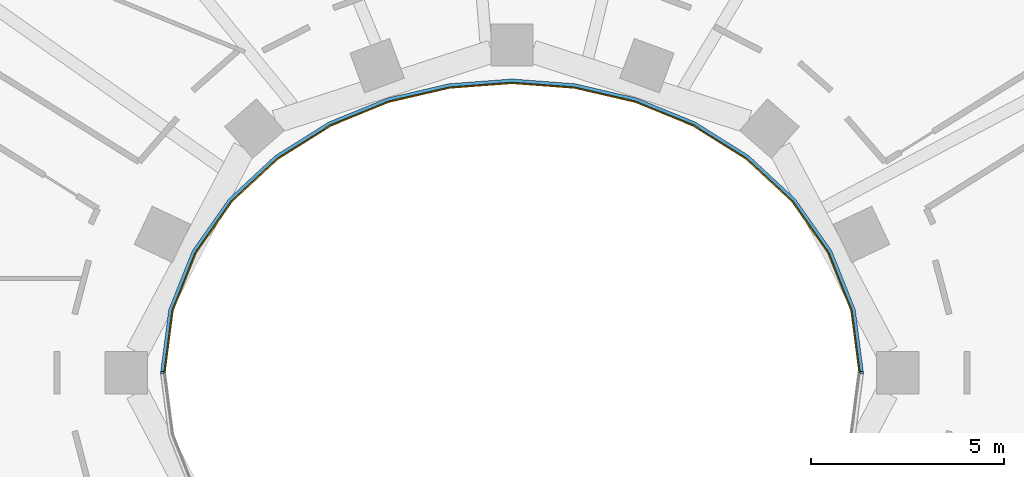
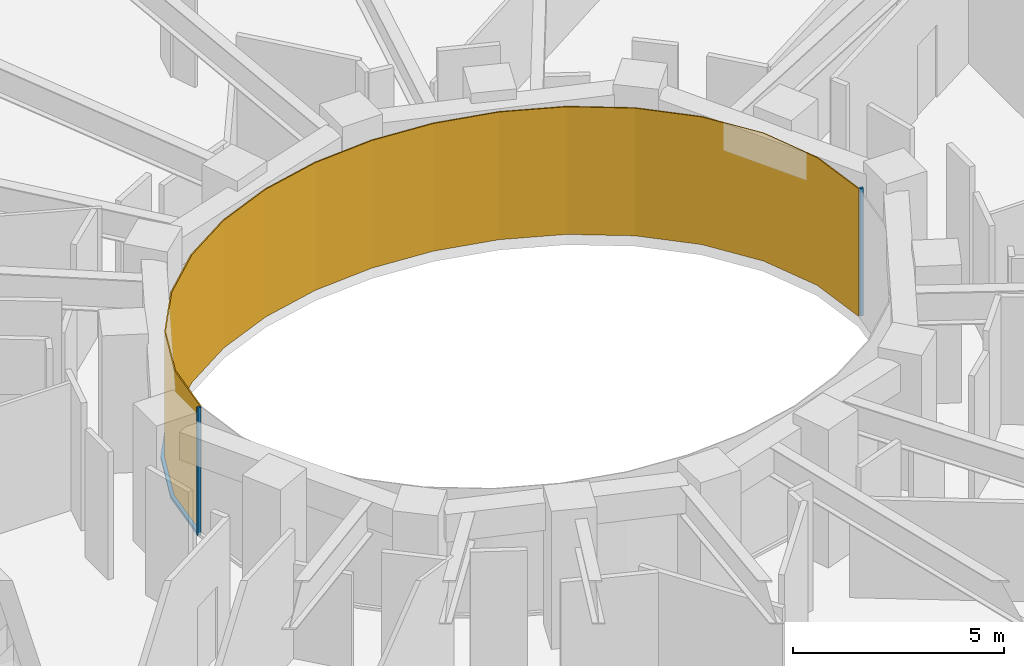
# One storey, part 12 of 16: 3 members, 1 curtain wall.
"""IFC4 building model written with IfcOpenShell, lengths in metres."""

import ifcopenshell
import ifcopenshell.guid

model = None  # the IFC model being written
_history = None  # IfcOwnerHistory: only IFC2X3 demands one
_inside = {}  # id of a spatial element -> (the spatial element, [elements in it])
_under = {}  # id of a project, library or spatial element -> (it, [spatial elements below it])
_declared = {}  # id of a project -> (the project, [libraries it declares])
_typed = {}  # id of a type object -> (the type object, [elements of that type])
_made_of = {}  # id of a material, layer set ... -> (it, [elements and type objects made of it])


def new_model(schema):
    """Start an empty IFC model of exactly this schema.

    Asked for "IFC4X3", IfcOpenShell would pick the latest addendum, in which some entities
    have other attributes; the version numbers below select the first issue.
    IFC2X3 requires an IfcOwnerHistory on every rooted entity: one is made here for all.
    """
    global model, _history
    if schema == "IFC4X3":
        model = ifcopenshell.file(schema_version=(4, 3, 0, 0))
    else:
        model = ifcopenshell.file(schema=schema)
    _inside.clear()
    _under.clear()
    _declared.clear()
    _typed.clear()
    _made_of.clear()
    _history = None
    if model.schema == "IFC2X3":
        org = make("IfcOrganization", Name="unknown")
        user = make(
            "IfcPersonAndOrganization",
            ThePerson=make("IfcPerson", FamilyName="unknown"),
            TheOrganization=org,
        )
        app = make(
            "IfcApplication",
            ApplicationDeveloper=org,
            Version="unknown",
            ApplicationFullName="unknown",
            ApplicationIdentifier="unknown",
        )
        _history = make(
            "IfcOwnerHistory",
            OwningUser=user,
            OwningApplication=app,
            ChangeAction="ADDED",
            CreationDate=0,
        )
    return model


def make(cls, **values):
    """One entity of the class cls with the attributes given. An attribute that is None is left unset."""
    return model.create_entity(
        cls, **{name: value for name, value in values.items() if value is not None}
    )


def rooted(cls, **values):
    """An entity with a GlobalId (a new one), such as an element, a storey or a relation."""
    return make(cls, GlobalId=ifcopenshell.guid.new(), OwnerHistory=_history, **values)


def si_unit(unit_type, name, prefix=None):
    """IfcSIUnit, for example si_unit("LENGTHUNIT", "METRE", prefix="MILLI")."""
    return make("IfcSIUnit", UnitType=unit_type, Prefix=prefix, Name=name)


def assignment(units):
    """IfcUnitAssignment: the units of a project."""
    return None if units is None else make("IfcUnitAssignment", Units=units)


def point(xyz):
    """IfcCartesianPoint."""
    return None if xyz is None else make("IfcCartesianPoint", Coordinates=xyz)


def direction(xyz):
    """IfcDirection."""
    return None if xyz is None else make("IfcDirection", DirectionRatios=xyz)


def frame(location, z_axis=None, x_axis=None):
    """IfcAxis2Placement3D, a coordinate frame: its origin and axes. An axis left out is left unset."""
    return make(
        "IfcAxis2Placement3D",
        Location=point(location),
        Axis=direction(z_axis),
        RefDirection=direction(x_axis),
    )


def frame_2d(location, x_axis=None):
    """IfcAxis2Placement2D, a coordinate frame in the plane: its origin and x axis."""
    return make(
        "IfcAxis2Placement2D", Location=point(location), RefDirection=direction(x_axis)
    )


def origin():
    """The frame at (0, 0, 0) with its axes left unset."""
    return frame((0.0, 0.0, 0.0))


def origin_2d():
    """The frame at (0, 0) in the plane with its x axis left unset."""
    return frame_2d((0.0, 0.0))


def place(relative_to, where):
    """IfcLocalPlacement: puts the frame where relative to a parent placement (None: the world)."""
    return make(
        "IfcLocalPlacement", PlacementRelTo=relative_to, RelativePlacement=where
    )


def context(
    kind, dimensions, precision=None, world=None, true_north=None, identifier=None
):
    """IfcGeometricRepresentationContext, for example the 3D "Model" context."""
    return make(
        "IfcGeometricRepresentationContext",
        ContextIdentifier=identifier,
        ContextType=kind,
        CoordinateSpaceDimension=dimensions,
        Precision=precision,
        WorldCoordinateSystem=world,
        TrueNorth=true_north,
    )


def subcontext(parent, identifier, kind, view, scale=None):
    """IfcGeometricRepresentationSubContext, for example "Body" below "Model"."""
    return make(
        "IfcGeometricRepresentationSubContext",
        ContextIdentifier=identifier,
        ContextType=kind,
        ParentContext=parent,
        TargetScale=scale,
        TargetView=view,
    )


def project(units=None, contexts=None):
    """IfcProject with its units and contexts."""
    return rooted(
        "IfcProject",
        Name="project",
        RepresentationContexts=contexts,
        UnitsInContext=assignment(units),
    )


def spatial(cls, under=None, at=None, **own):
    """A site, building, storey or space (cls), placed at a placement, below another one or the project."""
    s = rooted(cls, ObjectPlacement=at, **own)
    if under is not None:
        _under.setdefault(under.id(), (under, []))[1].append(s)
    return s


def polyline(points):
    """IfcPolyline through the points."""
    return make("IfcPolyline", Points=[point(p) for p in points])


def profile(cls, at=None, kind="AREA", **sizes):
    """A parametric profile (cls). Its sizes go by their IFC names, for example OverallWidth=200.0."""
    return make(cls, ProfileType=kind, Position=at, **sizes)


def rectangle(**sizes):
    """IfcRectangleProfileDef."""
    return profile("IfcRectangleProfileDef", **sizes)


def outline(outer, holes=None, kind="AREA"):
    """IfcArbitraryClosedProfileDef: a profile drawn as a closed curve; with holes, ...WithVoids."""
    if holes is None:
        return make("IfcArbitraryClosedProfileDef", ProfileType=kind, OuterCurve=outer)
    return make(
        "IfcArbitraryProfileDefWithVoids",
        ProfileType=kind,
        OuterCurve=outer,
        InnerCurves=holes,
    )


def extrude(swept, where, along, depth):
    """IfcExtrudedAreaSolid: the profile swept, set in the frame where, extruded along a direction by depth."""
    return make(
        "IfcExtrudedAreaSolid",
        SweptArea=swept,
        Position=where,
        ExtrudedDirection=direction(along),
        Depth=depth,
    )


def shape(context_of_items, identifier, shape_type, items):
    """IfcShapeRepresentation: the items that make up one representation, for example the "Body"."""
    return make(
        "IfcShapeRepresentation",
        ContextOfItems=context_of_items,
        RepresentationIdentifier=identifier,
        RepresentationType=shape_type,
        Items=items,
    )


def material(Name=None, Category=None):
    """IfcMaterial."""
    return make("IfcMaterial", Name=Name, Category=Category)


def layer(
    of_material, thickness, ventilated=None, Name=None, Category=None, Priority=None
):
    """IfcMaterialLayer: one layer of a wall or slab, of a material (None: an air gap)."""
    return make(
        "IfcMaterialLayer",
        Material=of_material,
        LayerThickness=thickness,
        IsVentilated=ventilated,
        Name=Name,
        Category=Category,
        Priority=Priority,
    )


def layer_set(layers, Name=None):
    """IfcMaterialLayerSet."""
    return make("IfcMaterialLayerSet", MaterialLayers=layers, LayerSetName=Name)


def material_profile(
    of_material, cross_section, Name=None, Category=None, Priority=None
):
    """IfcMaterialProfile: a cross section and its material."""
    return make(
        "IfcMaterialProfile",
        Name=Name,
        Material=of_material,
        Profile=cross_section,
        Priority=Priority,
        Category=Category,
    )


def profile_set(profiles, Name=None, composite=None):
    """IfcMaterialProfileSet."""
    return make(
        "IfcMaterialProfileSet",
        Name=Name,
        MaterialProfiles=profiles,
        CompositeProfile=composite,
    )


def made_of(thing, what):
    """Note that an element or type object is made of a material, layer set ...; save() writes the relation."""
    if what is not None:
        _made_of.setdefault(what.id(), (what, []))[1].append(thing)
    return thing


def type_object(cls, material=None, **own):
    """A type object (cls), such as IfcWallType, which elements share."""
    return made_of(rooted(cls, **own), material)


def element(
    cls,
    number,
    at=None,
    inside=None,
    cuts=None,
    type_object=None,
    material=None,
    context=None,
    identifier="Body",
    shape_type=None,
    held_by="IfcProductDefinitionShape",
    body=None,
    shapes=None,
    **own,
):
    """One element of the class cls, such as IfcWall. Its Tag is "e" and its number.

    at: its placement. inside: the storey or other place that contains it. cuts: it is an
    opening in that element (IfcRelVoidsElement). A single representation is given by context,
    identifier, shape_type and body (its items); several are given by shapes. held_by: the class
    of the entity that holds the representations. save() writes the other relations.
    """
    e = rooted(cls, Tag="e%d" % number, ObjectPlacement=at, **own)
    if body is not None:
        shapes = [shape(context, identifier, shape_type, body)]
    if shapes is not None:
        e.Representation = make(held_by, Representations=shapes)
    if inside is not None:
        _inside.setdefault(inside.id(), (inside, []))[1].append(e)
    if cuts is not None:
        rooted(
            "IfcRelVoidsElement", RelatingBuildingElement=cuts, RelatedOpeningElement=e
        )
    if type_object is not None:
        _typed.setdefault(type_object.id(), (type_object, []))[1].append(e)
    return made_of(e, material)


def aggregate(whole, parts):
    """IfcRelAggregates: a whole, such as a stair, and the parts it consists of."""
    return rooted("IfcRelAggregates", RelatingObject=whole, RelatedObjects=parts)


def save(model, path):
    """Write the relations noted so far, then the file.

    IfcRelAggregates (storeys below a building ...), IfcRelContainedInSpatialStructure (elements
    in a storey), IfcRelDefinesByType, IfcRelAssociatesMaterial and IfcRelDeclares: one each for
    every whole, place, type object, material and project.
    """
    for whole, parts in _under.values():
        aggregate(whole, parts)
    for where, things in _inside.values():
        rooted(
            "IfcRelContainedInSpatialStructure",
            RelatedElements=things,
            RelatingStructure=where,
        )
    for kind, things in _typed.values():
        rooted("IfcRelDefinesByType", RelatedObjects=things, RelatingType=kind)
    for what, things in _made_of.values():
        rooted("IfcRelAssociatesMaterial", RelatedObjects=things, RelatingMaterial=what)
    for by, libraries in _declared.values():
        rooted("IfcRelDeclares", RelatingContext=by, RelatedDefinitions=libraries)
    model.write(path)


model = new_model("IFC4")

# Units and contexts
model_context = context("Model", 3, precision=1e-05, world=origin(), true_north=direction((0.0, 1.0)))
body_context = subcontext(model_context, "Body", "Model", "MODEL_VIEW")
ifc_project = project(units=[si_unit("LENGTHUNIT", "METRE"), si_unit("AREAUNIT", "SQUARE_METRE"), si_unit("VOLUMEUNIT", "CUBIC_METRE"), si_unit("PLANEANGLEUNIT", "RADIAN"), si_unit("MASSUNIT", "GRAM", prefix="KILO")], contexts=[model_context])

# Member
ifc_material_1 = material(Name="Steel S355 fire-resisting frame", Category="steel")
ifc_material_profile = material_profile(ifc_material_1, rectangle(XDim=0.090087890625, YDim=0.06005859375, at=origin_2d()), Name="90x60")
ifc_profile_set = profile_set([ifc_material_profile], Name="Steel S355 fire-resisting frame")
member_type_1 = type_object("IfcMemberType", Name="ENV-MULLION-W-90", PredefinedType="MULLION", material=ifc_profile_set)
site_placement = place(None, origin())
building_placement = place(site_placement, origin())
storey_placement = place(building_placement, frame((0.0, 0.0, 166.0)))
member_1_placement = place(storey_placement, frame((9.076904296875, 0.0, 0.0), z_axis=(0.0, 0.0, 1.0), x_axis=(1.0, 0.0, 0.0)))
member_1 = element("IfcMember", 1, at=member_1_placement, type_object=member_type_1, Name="Mullion W well vertex 01", PredefinedType="MULLION", context=body_context, shape_type="SweptSolid", body=[
    extrude(rectangle(XDim=0.090087890625, YDim=0.06005859375, at=origin_2d()), origin(), (0.0, 0.0, 1.0), 3.699951171875),
])

member_2_placement = place(storey_placement, frame((-9.076904296875, 0.0, 0.0), z_axis=(0.0, 0.0, 1.0), x_axis=(-1.0, 0.0, 0.0)))
member_2 = element("IfcMember", 2, at=member_2_placement, type_object=member_type_1, Name="Mullion W well vertex 17", PredefinedType="MULLION", context=body_context, shape_type="SweptSolid", body=[
    extrude(rectangle(XDim=0.090087890625, YDim=0.06005859375, at=origin_2d()), origin(), (0.0, 0.0, 1.0), 3.699951171875),
])

ifc_material_2 = material(Name="Steel S355 fire-resisting frame", Category="steel")
member_type_2 = type_object("IfcMemberType", Name="ENV-TRANSOM-W", PredefinedType="USERDEFINED", material=ifc_material_2)
member_3_placement = place(storey_placement, origin())
member_3 = element("IfcMember", 3, at=member_3_placement, type_object=member_type_2, Name="Transom W well 01-17", ObjectType="TRANSOM", PredefinedType="USERDEFINED", context=body_context, shape_type="SweptSolid", body=[
    extrude(outline(polyline([(9.119384765625, 0.02783203125), (8.910400390625, 1.63623046875), (8.29833984375, 3.167236328125), (7.35107421875, 4.5146484375), (6.1455078125, 5.6337890625), (4.75341796875, 6.50634765625), (3.233642578125, 7.127685546875), (1.635498046875, 7.498779296875), (0.0, 7.622314453125), (-1.635498046875, 7.498779296875), (-3.233642578125, 7.127685546875), (-4.75341796875, 6.50634765625), (-6.1455078125, 5.6337890625), (-7.35107421875, 4.5146484375), (-8.29833984375, 3.167236328125), (-8.910400390625, 1.63623046875), (-9.119384765625, 0.02783203125), (-9.02880859375, 0.02783203125), (-8.822509765625, 1.61328125), (-8.21875, 3.124267578125), (-7.282958984375, 4.455078125), (-6.090576171875, 5.56201171875), (-4.712158203125, 6.426025390625), (-3.206298828125, 7.04150390625), (-1.621826171875, 7.40966796875), (0.0, 7.531982421875), (1.621826171875, 7.40966796875), (3.206298828125, 7.04150390625), (4.712158203125, 6.426025390625), (6.090576171875, 5.56201171875), (7.282958984375, 4.455078125), (8.21875, 3.124267578125), (8.822509765625, 1.61328125), (9.02880859375, 0.02783203125), (9.119384765625, 0.02783203125)])), origin(), (0.0, 0.0, 1.0), 0.080078125),
])

# Site, building, storey
site = spatial("IfcSite", under=ifc_project, at=site_placement, CompositionType="ELEMENT")
building = spatial("IfcBuilding", under=site, at=building_placement, Name="Noorbagh Ring Tower", CompositionType="ELEMENT")
storey = spatial("IfcBuildingStorey", under=building, at=storey_placement, Name="L38", CompositionType="ELEMENT", Elevation=166.0)

# Curtain wall
ifc_material_3 = material(Name="Glass fire-resisting E60 laminated", Category="glass")
ifc_layer = layer(ifc_material_3, 0.031982421875)
ifc_layer_set = layer_set([ifc_layer], Name="Glass fire-resisting E60 laminated")
curtain_wall_type = type_object("IfcCurtainWallType", Name="ENV-CW-W", PredefinedType="NOTDEFINED", material=ifc_layer_set)
curtain_wall_placement = place(storey_placement, origin())
curtain_wall = element("IfcCurtainWall", 4, at=curtain_wall_placement, inside=storey, type_object=curtain_wall_type, Name="Curtain wall W W01", PredefinedType="NOTDEFINED", context=body_context, shape_type="SweptSolid", body=[
    extrude(outline(polyline([(9.0322265625, 0.0), (8.822509765625, 1.61328125), (8.21875, 3.124267578125), (7.282958984375, 4.455078125), (6.090576171875, 5.56201171875), (4.712158203125, 6.426025390625), (3.206298828125, 7.04150390625), (1.621826171875, 7.40966796875), (0.0, 7.531982421875), (-1.621826171875, 7.40966796875), (-3.206298828125, 7.04150390625), (-4.712158203125, 6.426025390625), (-6.090576171875, 5.56201171875), (-7.282958984375, 4.455078125), (-8.21875, 3.124267578125), (-8.822509765625, 1.61328125), (-9.0322265625, 0.0), (-9.0, 0.0), (-8.79150390625, 1.605224609375), (-8.1904296875, 3.10888671875), (-7.2587890625, 4.43408203125), (-6.071044921875, 5.53662109375), (-4.697509765625, 6.3974609375), (-3.196533203125, 7.010986328125), (-1.6171875, 7.3779296875), (0.0, 7.5), (1.6171875, 7.3779296875), (3.196533203125, 7.010986328125), (4.697509765625, 6.3974609375), (6.071044921875, 5.53662109375), (7.2587890625, 4.43408203125), (8.1904296875, 3.10888671875), (8.79150390625, 1.605224609375), (9.0, 0.0), (9.0322265625, 0.0)])), origin(), (0.0, 0.0, 1.0), 3.699951171875),
])

aggregate(curtain_wall, [member_1, member_2, member_3])

save(model, "model.ifc")
